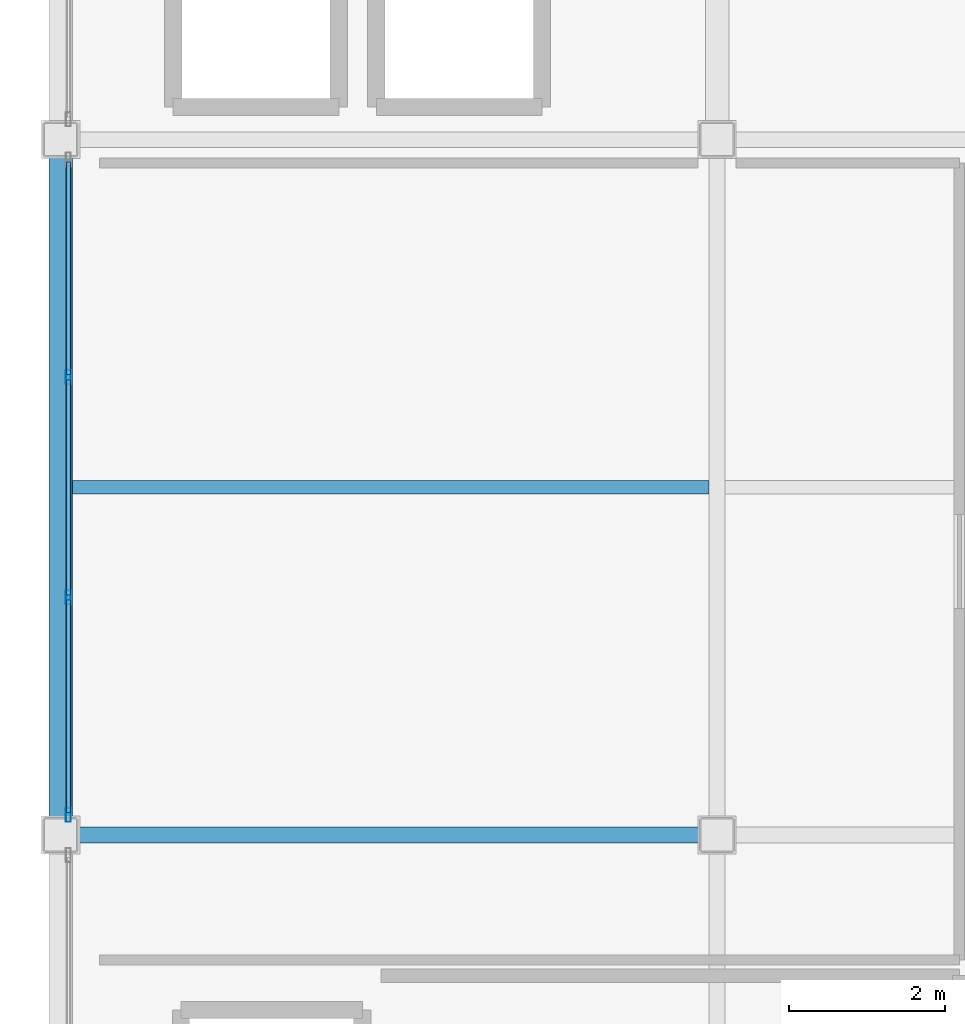
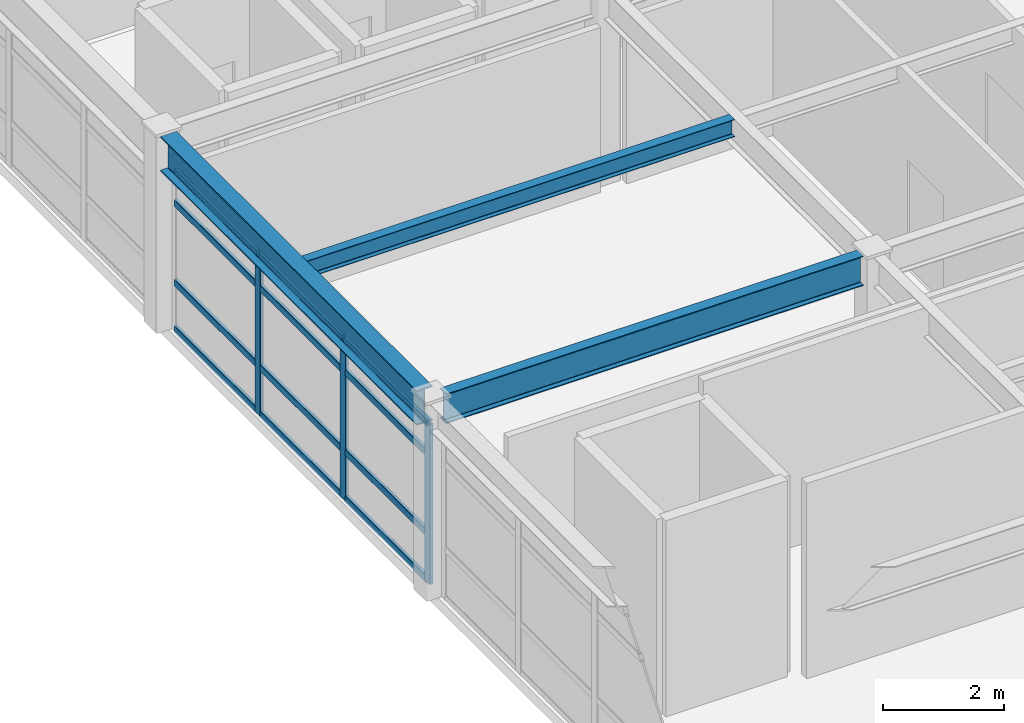
# One storey, part 9 of 34: 15 members, 3 beams, 1 element without a shape of its own.
"""IFC4 building model written with IfcOpenShell, lengths in metres."""

from ifc_helpers import new_model, si_unit, direction, frame, origin, origin_2d, place, context, subcontext, project, spatial, hollow_rectangle, i_section, extrude, material, layer, layer_set, material_profile, profile_set, type_object, element, aggregate, save


model = new_model("IFC4")

# Units and contexts
model_context = context("Model", 3, precision=1e-05, world=origin(), true_north=direction((0.0, 1.0)))
body_context = subcontext(model_context, "Body", "Model", "MODEL_VIEW")
ifc_project = project(units=[si_unit("LENGTHUNIT", "METRE"), si_unit("AREAUNIT", "SQUARE_METRE"), si_unit("VOLUMEUNIT", "CUBIC_METRE"), si_unit("PLANEANGLEUNIT", "RADIAN"), si_unit("MASSUNIT", "GRAM", prefix="KILO")], contexts=[model_context])

# Site, building, storey
site_placement = place(None, origin())
site = spatial("IfcSite", under=ifc_project, at=site_placement, CompositionType="ELEMENT")
building_placement = place(site_placement, origin())
building = spatial("IfcBuilding", under=site, at=building_placement, Name="Kazehara Bluff Congress Hotel", CompositionType="ELEMENT")
storey_placement = place(building_placement, frame((0.0, 0.0, 46.199951171875)))
storey = spatial("IfcBuildingStorey", under=building, at=storey_placement, Name="L11", CompositionType="ELEMENT", Elevation=46.199951171875)

# Curtain wall, members
ifc_material_1 = material(Name="Anodised aluminium", Category="aluminium")
ifc_layer = layer(ifc_material_1, 0.159912109375)
ifc_layer_set = layer_set([ifc_layer], Name="Anodised aluminium")
curtain_wall_type = type_object("IfcCurtainWallType", Name="TP-CW-213", PredefinedType="NOTDEFINED", material=ifc_layer_set)
curtain_wall_placement = place(storey_placement, origin())
curtain_wall = element("IfcCurtainWall", 1, at=curtain_wall_placement, inside=storey, type_object=curtain_wall_type, Name="L11 curtain wall CW-213 CW-ENC-V5-L11-14380-3645", PredefinedType="NOTDEFINED")
ifc_material_2 = material(Name="Anodised aluminium", Category="aluminium")
ifc_material_profile_1 = material_profile(ifc_material_2, hollow_rectangle(XDim=0.06494140625, YDim=0.179931640625, WallThickness=0.00390625, InnerFilletRadius=0.00390625, OuterFilletRadius=0.008056640625, at=origin_2d()))
ifc_profile_set_1 = profile_set([ifc_material_profile_1], Name="Anodised aluminium")
member_type_1 = type_object("IfcMemberType", Name="TP-CWM-02", PredefinedType="MULLION", material=ifc_profile_set_1)
member_1_placement = place(storey_placement, frame((143.800048828125, 32.257568359375, 0.0), z_axis=(0.0, 0.0, 1.0), x_axis=(-1.0, 0.0, 0.0)))
member_1 = element("IfcMember", 2, at=member_1_placement, type_object=member_type_1, Name="CW-213 mullion 1", PredefinedType="MULLION", context=body_context, shape_type="SweptSolid", body=[
    extrude(hollow_rectangle(XDim=0.06494140625, YDim=0.179931640625, WallThickness=0.00390625, InnerFilletRadius=0.00390625, OuterFilletRadius=0.008056640625, at=origin_2d()), origin(), (0.0, 0.0, 1.0), 3.22509765625),
])
member_2_placement = place(storey_placement, frame((143.800048828125, 35.041748046875, 0.0), z_axis=(0.0, 0.0, 1.0), x_axis=(-1.0, 0.0, 0.0)))
member_2 = element("IfcMember", 3, at=member_2_placement, type_object=member_type_1, Name="CW-213 mullion 2", PredefinedType="MULLION", context=body_context, shape_type="SweptSolid", body=[
    extrude(hollow_rectangle(XDim=0.06494140625, YDim=0.179931640625, WallThickness=0.00390625, InnerFilletRadius=0.00390625, OuterFilletRadius=0.008056640625, at=origin_2d()), origin(), (0.0, 0.0, 1.0), 3.22509765625),
])
member_3_placement = place(storey_placement, frame((143.800048828125, 37.8583984375, 0.0), z_axis=(0.0, 0.0, 1.0), x_axis=(-1.0, 0.0, 0.0)))
member_3 = element("IfcMember", 4, at=member_3_placement, type_object=member_type_1, Name="CW-213 mullion 3", PredefinedType="MULLION", context=body_context, shape_type="SweptSolid", body=[
    extrude(hollow_rectangle(XDim=0.06494140625, YDim=0.179931640625, WallThickness=0.00390625, InnerFilletRadius=0.00390625, OuterFilletRadius=0.008056640625, at=origin_2d()), origin(), (0.0, 0.0, 1.0), 3.22509765625),
])
ifc_material_3 = material(Name="Anodised aluminium", Category="aluminium")
ifc_material_profile_2 = material_profile(ifc_material_3, hollow_rectangle(XDim=0.06494140625, YDim=0.139892578125, WallThickness=0.00390625, InnerFilletRadius=0.00390625, OuterFilletRadius=0.008056640625, at=origin_2d()))
ifc_profile_set_2 = profile_set([ifc_material_profile_2], Name="Anodised aluminium")
member_type_2 = type_object("IfcMemberType", Name="TP-CWT-02", PredefinedType="USERDEFINED", material=ifc_profile_set_2)
member_4_placement = place(storey_placement, frame((143.800048828125, 32.2900390625, 0.032470703125), z_axis=(0.0, 1.0, 0.0), x_axis=(-1.0, 0.0, 0.0)))
member_4 = element("IfcMember", 5, at=member_4_placement, type_object=member_type_2, Name="CW-213 transom 1.1", ObjectType="TRANSOM", PredefinedType="USERDEFINED", context=body_context, shape_type="SweptSolid", body=[
    extrude(hollow_rectangle(XDim=0.06494140625, YDim=0.139892578125, WallThickness=0.00390625, InnerFilletRadius=0.00390625, OuterFilletRadius=0.008056640625, at=origin_2d()), origin(), (0.0, 0.0, 1.0), 2.71923828125),
])
member_5_placement = place(storey_placement, frame((143.800048828125, 32.2900390625, 0.969970703125), z_axis=(0.0, 1.0, 0.0), x_axis=(-1.0, 0.0, 0.0)))
member_5 = element("IfcMember", 6, at=member_5_placement, type_object=member_type_2, Name="CW-213 transom 1.2", ObjectType="TRANSOM", PredefinedType="USERDEFINED", context=body_context, shape_type="SweptSolid", body=[
    extrude(hollow_rectangle(XDim=0.06494140625, YDim=0.139892578125, WallThickness=0.00390625, InnerFilletRadius=0.00390625, OuterFilletRadius=0.008056640625, at=origin_2d()), origin(), (0.0, 0.0, 1.0), 2.71923828125),
])
member_6_placement = place(storey_placement, frame((143.800048828125, 32.2900390625, 2.574951171875), z_axis=(0.0, 1.0, 0.0), x_axis=(-1.0, 0.0, 0.0)))
member_6 = element("IfcMember", 7, at=member_6_placement, type_object=member_type_2, Name="CW-213 transom 1.3", ObjectType="TRANSOM", PredefinedType="USERDEFINED", context=body_context, shape_type="SweptSolid", body=[
    extrude(hollow_rectangle(XDim=0.06494140625, YDim=0.139892578125, WallThickness=0.00390625, InnerFilletRadius=0.00390625, OuterFilletRadius=0.008056640625, at=origin_2d()), origin(), (0.0, 0.0, 1.0), 2.71923828125),
])
member_7_placement = place(storey_placement, frame((143.800048828125, 32.2900390625, 3.192626953125), z_axis=(0.0, 1.0, 0.0), x_axis=(-1.0, 0.0, 0.0)))
member_7 = element("IfcMember", 8, at=member_7_placement, type_object=member_type_2, Name="CW-213 transom 1.4", ObjectType="TRANSOM", PredefinedType="USERDEFINED", context=body_context, shape_type="SweptSolid", body=[
    extrude(hollow_rectangle(XDim=0.06494140625, YDim=0.139892578125, WallThickness=0.00390625, InnerFilletRadius=0.00390625, OuterFilletRadius=0.008056640625, at=origin_2d()), origin(), (0.0, 0.0, 1.0), 2.71923828125),
])
member_8_placement = place(storey_placement, frame((143.800048828125, 35.07421875, 0.032470703125), z_axis=(0.0, 1.0, 0.0), x_axis=(-1.0, 0.0, 0.0)))
member_8 = element("IfcMember", 9, at=member_8_placement, type_object=member_type_2, Name="CW-213 transom 2.1", ObjectType="TRANSOM", PredefinedType="USERDEFINED", context=body_context, shape_type="SweptSolid", body=[
    extrude(hollow_rectangle(XDim=0.06494140625, YDim=0.139892578125, WallThickness=0.00390625, InnerFilletRadius=0.00390625, OuterFilletRadius=0.008056640625, at=origin_2d()), origin(), (0.0, 0.0, 1.0), 2.751708984375),
])
member_9_placement = place(storey_placement, frame((143.800048828125, 35.07421875, 0.969970703125), z_axis=(0.0, 1.0, 0.0), x_axis=(-1.0, 0.0, 0.0)))
member_9 = element("IfcMember", 10, at=member_9_placement, type_object=member_type_2, Name="CW-213 transom 2.2", ObjectType="TRANSOM", PredefinedType="USERDEFINED", context=body_context, shape_type="SweptSolid", body=[
    extrude(hollow_rectangle(XDim=0.06494140625, YDim=0.139892578125, WallThickness=0.00390625, InnerFilletRadius=0.00390625, OuterFilletRadius=0.008056640625, at=origin_2d()), origin(), (0.0, 0.0, 1.0), 2.751708984375),
])
member_10_placement = place(storey_placement, frame((143.800048828125, 35.07421875, 2.574951171875), z_axis=(0.0, 1.0, 0.0), x_axis=(-1.0, 0.0, 0.0)))
member_10 = element("IfcMember", 11, at=member_10_placement, type_object=member_type_2, Name="CW-213 transom 2.3", ObjectType="TRANSOM", PredefinedType="USERDEFINED", context=body_context, shape_type="SweptSolid", body=[
    extrude(hollow_rectangle(XDim=0.06494140625, YDim=0.139892578125, WallThickness=0.00390625, InnerFilletRadius=0.00390625, OuterFilletRadius=0.008056640625, at=origin_2d()), origin(), (0.0, 0.0, 1.0), 2.751708984375),
])
member_11_placement = place(storey_placement, frame((143.800048828125, 35.07421875, 3.192626953125), z_axis=(0.0, 1.0, 0.0), x_axis=(-1.0, 0.0, 0.0)))
member_11 = element("IfcMember", 12, at=member_11_placement, type_object=member_type_2, Name="CW-213 transom 2.4", ObjectType="TRANSOM", PredefinedType="USERDEFINED", context=body_context, shape_type="SweptSolid", body=[
    extrude(hollow_rectangle(XDim=0.06494140625, YDim=0.139892578125, WallThickness=0.00390625, InnerFilletRadius=0.00390625, OuterFilletRadius=0.008056640625, at=origin_2d()), origin(), (0.0, 0.0, 1.0), 2.751708984375),
])
member_12_placement = place(storey_placement, frame((143.800048828125, 37.890869140625, 0.032470703125), z_axis=(0.0, 1.0, 0.0), x_axis=(-1.0, 0.0, 0.0)))
member_12 = element("IfcMember", 13, at=member_12_placement, type_object=member_type_2, Name="CW-213 transom 3.1", ObjectType="TRANSOM", PredefinedType="USERDEFINED", context=body_context, shape_type="SweptSolid", body=[
    extrude(hollow_rectangle(XDim=0.06494140625, YDim=0.139892578125, WallThickness=0.00390625, InnerFilletRadius=0.00390625, OuterFilletRadius=0.008056640625, at=origin_2d()), origin(), (0.0, 0.0, 1.0), 2.71923828125),
])
member_13_placement = place(storey_placement, frame((143.800048828125, 37.890869140625, 0.969970703125), z_axis=(0.0, 1.0, 0.0), x_axis=(-1.0, 0.0, 0.0)))
member_13 = element("IfcMember", 14, at=member_13_placement, type_object=member_type_2, Name="CW-213 transom 3.2", ObjectType="TRANSOM", PredefinedType="USERDEFINED", context=body_context, shape_type="SweptSolid", body=[
    extrude(hollow_rectangle(XDim=0.06494140625, YDim=0.139892578125, WallThickness=0.00390625, InnerFilletRadius=0.00390625, OuterFilletRadius=0.008056640625, at=origin_2d()), origin(), (0.0, 0.0, 1.0), 2.71923828125),
])
member_14_placement = place(storey_placement, frame((143.800048828125, 37.890869140625, 2.574951171875), z_axis=(0.0, 1.0, 0.0), x_axis=(-1.0, 0.0, 0.0)))
member_14 = element("IfcMember", 15, at=member_14_placement, type_object=member_type_2, Name="CW-213 transom 3.3", ObjectType="TRANSOM", PredefinedType="USERDEFINED", context=body_context, shape_type="SweptSolid", body=[
    extrude(hollow_rectangle(XDim=0.06494140625, YDim=0.139892578125, WallThickness=0.00390625, InnerFilletRadius=0.00390625, OuterFilletRadius=0.008056640625, at=origin_2d()), origin(), (0.0, 0.0, 1.0), 2.71923828125),
])
member_15_placement = place(storey_placement, frame((143.800048828125, 37.890869140625, 3.192626953125), z_axis=(0.0, 1.0, 0.0), x_axis=(-1.0, 0.0, 0.0)))
member_15 = element("IfcMember", 16, at=member_15_placement, type_object=member_type_2, Name="CW-213 transom 3.4", ObjectType="TRANSOM", PredefinedType="USERDEFINED", context=body_context, shape_type="SweptSolid", body=[
    extrude(hollow_rectangle(XDim=0.06494140625, YDim=0.139892578125, WallThickness=0.00390625, InnerFilletRadius=0.00390625, OuterFilletRadius=0.008056640625, at=origin_2d()), origin(), (0.0, 0.0, 1.0), 2.71923828125),
])
aggregate(curtain_wall, [member_1, member_2, member_3, member_4, member_5, member_6, member_7, member_8, member_9, member_10, member_11, member_12, member_13, member_14, member_15])

# Beams
ifc_material_4 = material(Name="Steel SN490B", Category="steel")
ifc_material_profile_3 = material_profile(ifc_material_4, i_section(OverallWidth=0.199951171875, OverallDepth=0.60009765625, WebThickness=0.010986328125, FlangeThickness=0.01708984375, FilletRadius=0.012939453125, at=origin_2d()))
ifc_profile_set_3 = profile_set([ifc_material_profile_3], Name="Steel SN490B")
beam_type_1 = type_object("IfcBeamType", Name="TP-G-02", PredefinedType="BEAM", material=ifc_profile_set_3)
beam_1_placement = place(storey_placement, frame((143.925048828125, 32.0, 3.650146484375), z_axis=(1.0, 0.0, 0.0), x_axis=(0.0, 1.0, 0.0)))
element("IfcBeam", 17, at=beam_1_placement, inside=storey, type_object=beam_type_1, Name="L11 girder G-02 31", PredefinedType="BEAM", context=body_context, shape_type="SweptSolid", body=[
    extrude(i_section(OverallWidth=0.199951171875, OverallDepth=0.60009765625, WebThickness=0.010986328125, FlangeThickness=0.01708984375, FilletRadius=0.012939453125, at=origin_2d()), origin(), (0.0, 0.0, 1.0), 7.949951171875),
])
ifc_material_5 = material(Name="Steel SN400B", Category="steel")
ifc_material_profile_4 = material_profile(ifc_material_5, i_section(OverallWidth=0.175048828125, OverallDepth=0.35009765625, WebThickness=0.007080078125, FlangeThickness=0.010986328125, FilletRadius=0.012939453125, at=origin_2d()))
ifc_profile_set_4 = profile_set([ifc_material_profile_4], Name="Steel SN400B")
beam_type_2 = type_object("IfcBeamType", Name="TP-J-02", PredefinedType="JOIST", material=ifc_profile_set_4)
beam_2_placement = place(storey_placement, frame((143.85009765625, 36.449951171875, 3.775146484375), z_axis=(1.0, 0.0, 0.0), x_axis=(0.0, 1.0, 0.0)))
element("IfcBeam", 18, at=beam_2_placement, inside=storey, type_object=beam_type_2, Name="L11 secondary joist J-02 2", PredefinedType="JOIST", context=body_context, shape_type="SweptSolid", body=[
    extrude(i_section(OverallWidth=0.175048828125, OverallDepth=0.35009765625, WebThickness=0.007080078125, FlangeThickness=0.010986328125, FilletRadius=0.012939453125, at=origin_2d()), origin(), (0.0, 0.0, 1.0), 8.14990234375),
])
ifc_material_6 = material(Name="Steel SN490B", Category="steel")
ifc_material_profile_5 = material_profile(ifc_material_6, i_section(OverallWidth=0.300048828125, OverallDepth=0.699951171875, WebThickness=0.012939453125, FlangeThickness=0.02392578125, FilletRadius=0.01806640625, at=origin_2d()))
ifc_profile_set_5 = profile_set([ifc_material_profile_5], Name="Steel SN490B")
beam_type_3 = type_object("IfcBeamType", Name="TP-SP-03", PredefinedType="SPANDREL", material=ifc_profile_set_5)
beam_3_placement = place(storey_placement, frame((143.699951171875, 32.22509765625, 3.60009765625), z_axis=(0.0, 1.0, 0.0), x_axis=(-1.0, 0.0, 0.0)))
element("IfcBeam", 19, at=beam_3_placement, inside=storey, type_object=beam_type_3, Name="L11 girder SP-03 3", PredefinedType="SPANDREL", context=body_context, shape_type="SweptSolid", body=[
    extrude(i_section(OverallWidth=0.300048828125, OverallDepth=0.699951171875, WebThickness=0.012939453125, FlangeThickness=0.02392578125, FilletRadius=0.01806640625, at=origin_2d()), origin(), (0.0, 0.0, 1.0), 8.449951171875),
])

save(model, "model.ifc")
